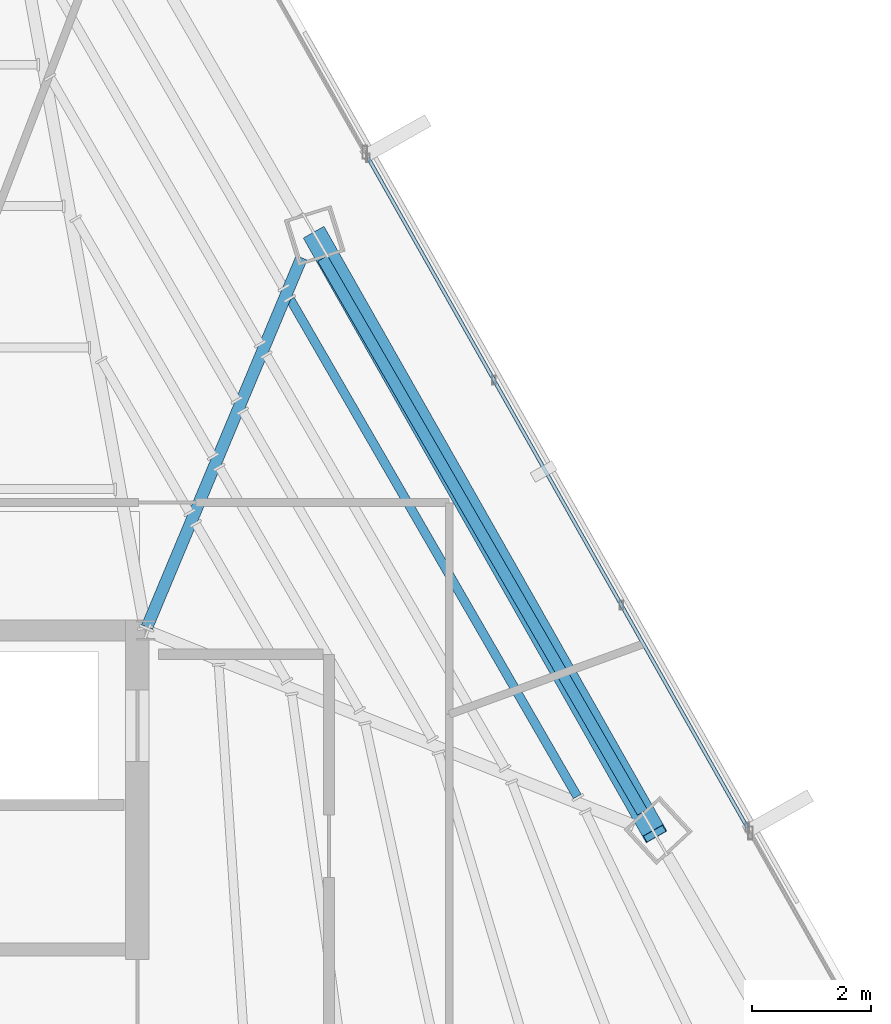
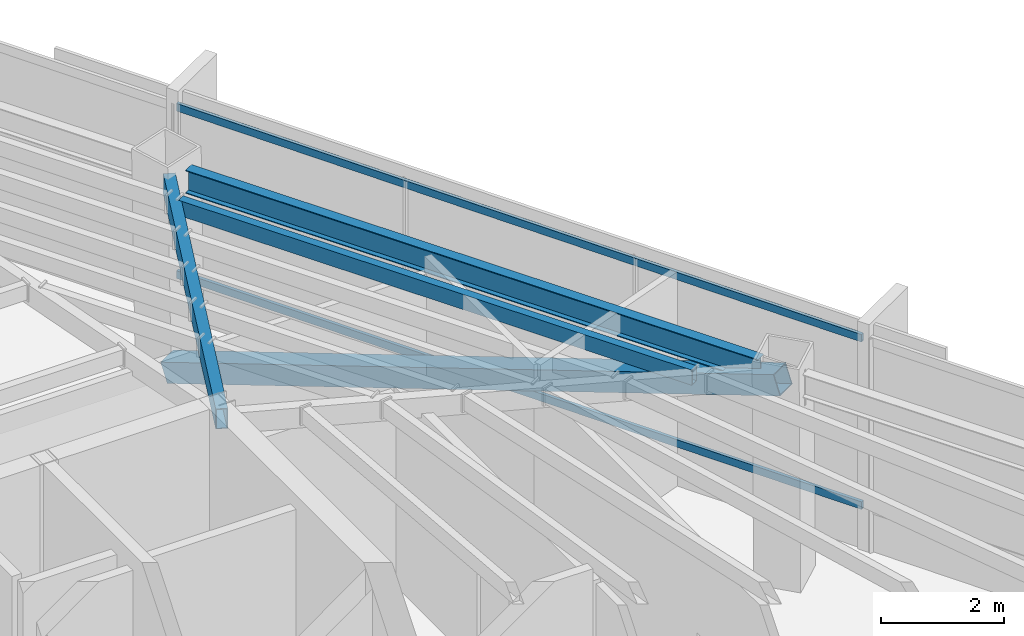
# One storey, part 23 of 37: 3 beams, 3 members, 1 element without a shape of its own.
"""IFC4 building model written with IfcOpenShell, lengths in metres."""

from ifc_helpers import new_model, si_unit, direction, frame, origin, origin_2d, place, context, subcontext, project, spatial, hollow_rectangle, i_section, extrude, source, transform, mapped, material, material_profile, profile_set, type_object, type_shapes, element, aggregate, save


model = new_model("IFC4")

# Units and contexts
model_context = context("Model", 3, precision=1e-05, world=origin(), true_north=direction((0.0, 1.0)))
body_context = subcontext(model_context, "Body", "Model", "MODEL_VIEW")
ifc_project = project(units=[si_unit("LENGTHUNIT", "METRE"), si_unit("AREAUNIT", "SQUARE_METRE"), si_unit("VOLUMEUNIT", "CUBIC_METRE"), si_unit("PLANEANGLEUNIT", "RADIAN"), si_unit("MASSUNIT", "GRAM", prefix="KILO")], contexts=[model_context])

# Site, building, storey
site_placement = place(None, origin())
site = spatial("IfcSite", under=ifc_project, at=site_placement, CompositionType="ELEMENT")
building_placement = place(site_placement, origin())
building = spatial("IfcBuilding", under=site, at=building_placement, Name="Caelisora Broadcast Tower", CompositionType="ELEMENT")
storey_placement = place(building_placement, frame((0.0, 0.0, 225.35009765625)))
storey = spatial("IfcBuildingStorey", under=building, at=storey_placement, Name="L59", CompositionType="ELEMENT", Elevation=225.35009765625)

# Beams
ifc_material_1 = material(Name="Steel Grade 350 (AS/NZS 3679.1)", Category="steel")
ifc_material_profile_1 = material_profile(ifc_material_1, i_section(OverallWidth=0.19091796875, OverallDepth=0.46044921875, WebThickness=0.010009765625, FlangeThickness=0.01611328125, at=origin_2d()), Name="Steel Grade 350 (AS/NZS 3679.1)")
ifc_profile_set_1 = profile_set([ifc_material_profile_1], Name="Steel Grade 350 (AS/NZS 3679.1)")
beam_type_1 = type_object("IfcBeamType", Name="PG06", PredefinedType="BEAM", material=ifc_profile_set_1)
shared_shape_1 = source(origin(), body_context, "Body", "SweptSolid", [
    extrude(i_section(OverallWidth=0.19091796875, OverallDepth=0.46044921875, WebThickness=0.010009765625, FlangeThickness=0.01611328125, at=origin_2d()), origin(), (0.0, 0.0, 1.0), 10.73876953125),
])
type_shapes(beam_type_1, [shared_shape_1])
beam_1_placement = place(storey_placement, frame((53.843017578125, 26.947021484375, 4.019775390625), z_axis=(-0.499999935134, 0.866025441235, 0.0), x_axis=(-0.866025441235, -0.499999935134, 0.0)))
element("IfcBeam", 1, at=beam_1_placement, inside=storey, type_object=beam_type_1, Name="L59 beam PG06", PredefinedType="BEAM", context=body_context, shape_type="MappedRepresentation", body=[
    mapped(shared_shape_1, transform((0.0, 0.0, 0.0), scale=1.0)),
])
ifc_material_2 = material(Name="Steel Grade 350 (AS/NZS 1163 C350L0)", Category="steel")
ifc_material_profile_2 = material_profile(ifc_material_2, hollow_rectangle(XDim=0.199951171875, YDim=0.39990234375, WallThickness=0.012451171875, at=origin_2d()), Name="Steel Grade 350 (AS/NZS 1163 C350L0)")
ifc_profile_set_2 = profile_set([ifc_material_profile_2], Name="Steel Grade 350 (AS/NZS 1163 C350L0)")
beam_type_2 = type_object("IfcBeamType", Name="PG07", PredefinedType="BEAM", material=ifc_profile_set_2)
shared_shape_2 = source(origin(), body_context, "Body", "SweptSolid", [
    extrude(hollow_rectangle(XDim=0.199951171875, YDim=0.39990234375, WallThickness=0.012451171875, at=origin_2d()), origin(), (0.0, 0.0, 1.0), 6.7265625),
])
type_shapes(beam_type_2, [shared_shape_2])
beam_2_placement = place(storey_placement, frame((45.523193359375, 30.055419921875, 4.0498046875), z_axis=(0.386099304774, 0.922457222235, 0.0), x_axis=(-0.922457222235, 0.386099304774, 0.0)))
element("IfcBeam", 2, at=beam_2_placement, inside=storey, type_object=beam_type_2, Name="L59 beam PG07", PredefinedType="BEAM", context=body_context, shape_type="MappedRepresentation", body=[
    mapped(shared_shape_2, transform((0.0, 0.0, 0.0), scale=1.0)),
])
ifc_material_profile_3 = material_profile(ifc_material_2, hollow_rectangle(XDim=0.14990234375, YDim=0.300048828125, WallThickness=0.010009765625, at=origin_2d()), Name="Steel Grade 350 (AS/NZS 1163 C350L0)")
ifc_profile_set_3 = profile_set([ifc_material_profile_3], Name="Steel Grade 350 (AS/NZS 1163 C350L0)")
beam_type_3 = type_object("IfcBeamType", Name="SB05", PredefinedType="JOIST", material=ifc_profile_set_3)
shared_shape_3 = source(origin(), body_context, "Body", "SweptSolid", [
    extrude(hollow_rectangle(XDim=0.14990234375, YDim=0.300048828125, WallThickness=0.010009765625, at=origin_2d()), origin(), (0.0, 0.0, 1.0), 9.636474609375),
])
type_shapes(beam_type_3, [shared_shape_3])
beam_3_placement = place(storey_placement, frame((52.750244140625, 27.211669921875, 4.099853515625), z_axis=(-0.500008279685, 0.866020623453, 0.0), x_axis=(-0.866020623453, -0.500008279685, 0.0)))
element("IfcBeam", 3, at=beam_3_placement, inside=storey, type_object=beam_type_3, Name="L59 beam SB05", PredefinedType="JOIST", context=body_context, shape_type="MappedRepresentation", body=[
    mapped(shared_shape_3, transform((0.0, 0.0, 0.0), scale=1.0)),
])

# Member
ifc_material_3 = material(Name="Steel Grade 450 (AS/NZS 1163 C450L0)", Category="steel")
ifc_material_profile_4 = material_profile(ifc_material_3, hollow_rectangle(XDim=0.39990234375, YDim=0.39990234375, WallThickness=0.01611328125, at=origin_2d()), Name="Steel Grade 450 (AS/NZS 1163 C450L0)")
ifc_profile_set_4 = profile_set([ifc_material_profile_4], Name="Steel Grade 450 (AS/NZS 1163 C450L0)")
member_type_1 = type_object("IfcMemberType", Name="BR04", PredefinedType="BRACE", material=ifc_profile_set_4)
shared_shape_4 = source(origin(), body_context, "Body", "SweptSolid", [
    extrude(hollow_rectangle(XDim=0.39990234375, YDim=0.39990234375, WallThickness=0.01611328125, at=origin_2d()), origin(), (0.0, 0.0, 1.0), 12.17578125),
])
type_shapes(member_type_1, [shared_shape_4])
member_1_placement = place(storey_placement, frame((54.051025390625, 26.586669921875, 3.949951171875), z_axis=(-0.467993516741, 0.825224557626, -0.31620641641), x_axis=(-0.869856536095, -0.493304780651, 0.0)))
element("IfcMember", 4, at=member_1_placement, inside=storey, type_object=member_type_1, Name="L59 perimeter brace BR04", PredefinedType="BRACE", context=body_context, shape_type="MappedRepresentation", body=[
    mapped(shared_shape_4, transform((0.0, 0.0, 0.0), scale=1.0)),
])

# Curtain wall, members
ifc_material_4 = material(Name="Unitised Aluminium Insulated Shadow-Box Spandrel Curtain Wall", Category="aluminium")
curtain_wall_type = type_object("IfcCurtainWallType", Name="CW-SP2", PredefinedType="NOTDEFINED", material=ifc_material_4)
curtain_wall_placement = place(storey_placement, origin())
curtain_wall = element("IfcCurtainWall", 5, at=curtain_wall_placement, inside=storey, type_object=curtain_wall_type, Name="L59 curtain wall CW-SP2", PredefinedType="NOTDEFINED")
ifc_material_5 = material(Name="Aluminium 6063-T6 Anodised Terracotta Bronze", Category="aluminium")
ifc_material_profile_5 = material_profile(ifc_material_5, hollow_rectangle(XDim=0.06005859375, YDim=0.14990234375, WallThickness=0.00341796875, at=origin_2d()), Name="Aluminium 6063-T6 Anodised Terracotta Bronze")
ifc_profile_set_5 = profile_set([ifc_material_profile_5], Name="Aluminium 6063-T6 Anodised Terracotta Bronze")
member_type_2 = type_object("IfcMemberType", Name="CWT-02", PredefinedType="USERDEFINED", material=ifc_profile_set_5)
shared_shape_5 = source(origin(), body_context, "Body", "SweptSolid", [
    extrude(hollow_rectangle(XDim=0.06005859375, YDim=0.14990234375, WallThickness=0.00341796875, at=origin_2d()), origin(), (0.0, 0.0, 1.0), 12.92041015625),
])
type_shapes(member_type_2, [shared_shape_5])
member_2_placement = place(storey_placement, frame((49.23828125, 37.934814453125, 0.849853515625), z_axis=(0.492857139245, -0.870110246058, 0.0), x_axis=(0.870110246058, 0.492857139245, 0.0)))
member_2 = element("IfcMember", 6, at=member_2_placement, type_object=member_type_2, Name="L59-CW-B02 transom #1", ObjectType="TRANSOM", PredefinedType="USERDEFINED", context=body_context, shape_type="MappedRepresentation", body=[
    mapped(shared_shape_5, transform((0.0, 0.0, 0.0), scale=1.0)),
])
member_3_placement = place(storey_placement, frame((49.23828125, 37.934814453125, 4.169921875), z_axis=(0.492857139245, -0.870110246058, 0.0), x_axis=(0.870110246058, 0.492857139245, 0.0)))
member_3 = element("IfcMember", 7, at=member_3_placement, type_object=member_type_2, Name="L59-CW-B02 transom #2", ObjectType="TRANSOM", PredefinedType="USERDEFINED", context=body_context, shape_type="MappedRepresentation", body=[
    mapped(shared_shape_5, transform((0.0, 0.0, 0.0), scale=1.0)),
])
aggregate(curtain_wall, [member_2, member_3])

save(model, "model.ifc")
